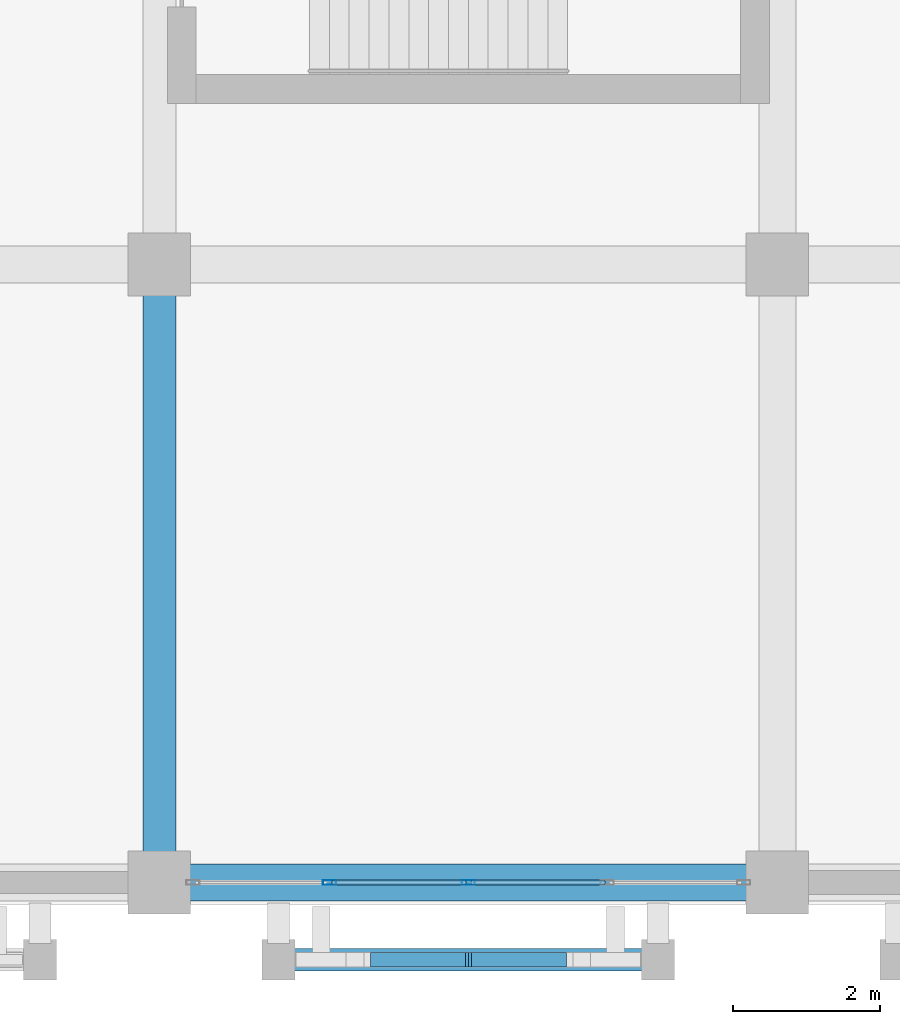
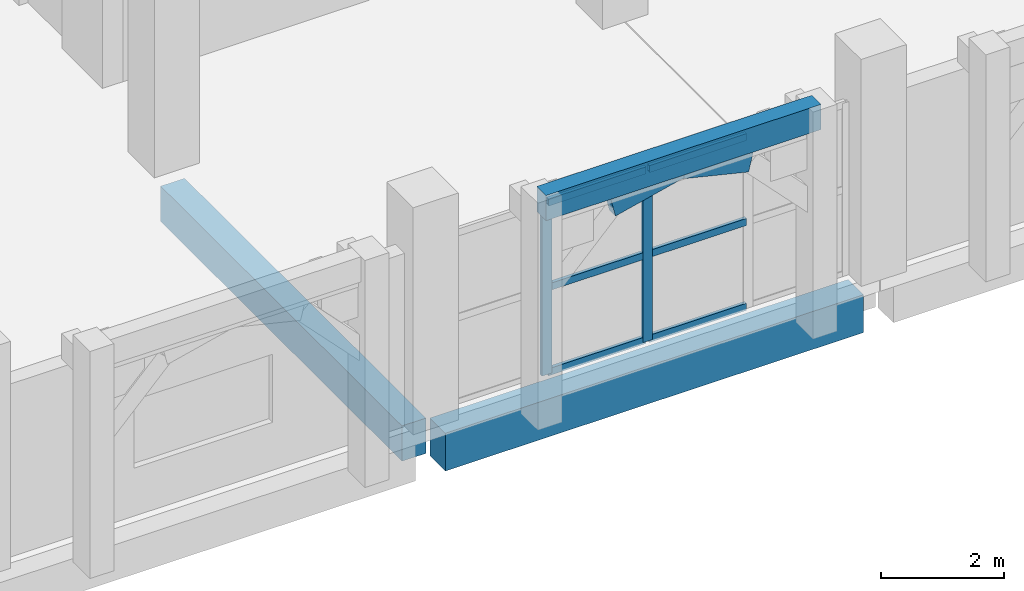
# One storey, part 6 of 137: 10 members, 3 beams, 1 element without a shape of its own.
"""IFC4 building model written with IfcOpenShell, lengths in metres."""

import ifcopenshell
import ifcopenshell.guid

model = None  # the IFC model being written
_history = None  # IfcOwnerHistory: only IFC2X3 demands one
_inside = {}  # id of a spatial element -> (the spatial element, [elements in it])
_under = {}  # id of a project, library or spatial element -> (it, [spatial elements below it])
_declared = {}  # id of a project -> (the project, [libraries it declares])
_typed = {}  # id of a type object -> (the type object, [elements of that type])
_made_of = {}  # id of a material, layer set ... -> (it, [elements and type objects made of it])


def new_model(schema):
    """Start an empty IFC model of exactly this schema.

    Asked for "IFC4X3", IfcOpenShell would pick the latest addendum, in which some entities
    have other attributes; the version numbers below select the first issue.
    IFC2X3 requires an IfcOwnerHistory on every rooted entity: one is made here for all.
    """
    global model, _history
    if schema == "IFC4X3":
        model = ifcopenshell.file(schema_version=(4, 3, 0, 0))
    else:
        model = ifcopenshell.file(schema=schema)
    _inside.clear()
    _under.clear()
    _declared.clear()
    _typed.clear()
    _made_of.clear()
    _history = None
    if model.schema == "IFC2X3":
        org = make("IfcOrganization", Name="unknown")
        user = make(
            "IfcPersonAndOrganization",
            ThePerson=make("IfcPerson", FamilyName="unknown"),
            TheOrganization=org,
        )
        app = make(
            "IfcApplication",
            ApplicationDeveloper=org,
            Version="unknown",
            ApplicationFullName="unknown",
            ApplicationIdentifier="unknown",
        )
        _history = make(
            "IfcOwnerHistory",
            OwningUser=user,
            OwningApplication=app,
            ChangeAction="ADDED",
            CreationDate=0,
        )
    return model


def make(cls, **values):
    """One entity of the class cls with the attributes given. An attribute that is None is left unset."""
    return model.create_entity(
        cls, **{name: value for name, value in values.items() if value is not None}
    )


def rooted(cls, **values):
    """An entity with a GlobalId (a new one), such as an element, a storey or a relation."""
    return make(cls, GlobalId=ifcopenshell.guid.new(), OwnerHistory=_history, **values)


def si_unit(unit_type, name, prefix=None):
    """IfcSIUnit, for example si_unit("LENGTHUNIT", "METRE", prefix="MILLI")."""
    return make("IfcSIUnit", UnitType=unit_type, Prefix=prefix, Name=name)


def assignment(units):
    """IfcUnitAssignment: the units of a project."""
    return None if units is None else make("IfcUnitAssignment", Units=units)


def point(xyz):
    """IfcCartesianPoint."""
    return None if xyz is None else make("IfcCartesianPoint", Coordinates=xyz)


def direction(xyz):
    """IfcDirection."""
    return None if xyz is None else make("IfcDirection", DirectionRatios=xyz)


def frame(location, z_axis=None, x_axis=None):
    """IfcAxis2Placement3D, a coordinate frame: its origin and axes. An axis left out is left unset."""
    return make(
        "IfcAxis2Placement3D",
        Location=point(location),
        Axis=direction(z_axis),
        RefDirection=direction(x_axis),
    )


def frame_2d(location, x_axis=None):
    """IfcAxis2Placement2D, a coordinate frame in the plane: its origin and x axis."""
    return make(
        "IfcAxis2Placement2D", Location=point(location), RefDirection=direction(x_axis)
    )


def origin():
    """The frame at (0, 0, 0) with its axes left unset."""
    return frame((0.0, 0.0, 0.0))


def origin_2d():
    """The frame at (0, 0) in the plane with its x axis left unset."""
    return frame_2d((0.0, 0.0))


def place(relative_to, where):
    """IfcLocalPlacement: puts the frame where relative to a parent placement (None: the world)."""
    return make(
        "IfcLocalPlacement", PlacementRelTo=relative_to, RelativePlacement=where
    )


def context(
    kind, dimensions, precision=None, world=None, true_north=None, identifier=None
):
    """IfcGeometricRepresentationContext, for example the 3D "Model" context."""
    return make(
        "IfcGeometricRepresentationContext",
        ContextIdentifier=identifier,
        ContextType=kind,
        CoordinateSpaceDimension=dimensions,
        Precision=precision,
        WorldCoordinateSystem=world,
        TrueNorth=true_north,
    )


def subcontext(parent, identifier, kind, view, scale=None):
    """IfcGeometricRepresentationSubContext, for example "Body" below "Model"."""
    return make(
        "IfcGeometricRepresentationSubContext",
        ContextIdentifier=identifier,
        ContextType=kind,
        ParentContext=parent,
        TargetScale=scale,
        TargetView=view,
    )


def project(units=None, contexts=None):
    """IfcProject with its units and contexts."""
    return rooted(
        "IfcProject",
        Name="project",
        RepresentationContexts=contexts,
        UnitsInContext=assignment(units),
    )


def spatial(cls, under=None, at=None, **own):
    """A site, building, storey or space (cls), placed at a placement, below another one or the project."""
    s = rooted(cls, ObjectPlacement=at, **own)
    if under is not None:
        _under.setdefault(under.id(), (under, []))[1].append(s)
    return s


def profile(cls, at=None, kind="AREA", **sizes):
    """A parametric profile (cls). Its sizes go by their IFC names, for example OverallWidth=200.0."""
    return make(cls, ProfileType=kind, Position=at, **sizes)


def rectangle(**sizes):
    """IfcRectangleProfileDef."""
    return profile("IfcRectangleProfileDef", **sizes)


def hollow_rectangle(**sizes):
    """IfcRectangleHollowProfileDef."""
    return profile("IfcRectangleHollowProfileDef", **sizes)


def extrude(swept, where, along, depth):
    """IfcExtrudedAreaSolid: the profile swept, set in the frame where, extruded along a direction by depth."""
    return make(
        "IfcExtrudedAreaSolid",
        SweptArea=swept,
        Position=where,
        ExtrudedDirection=direction(along),
        Depth=depth,
    )


def shape(context_of_items, identifier, shape_type, items):
    """IfcShapeRepresentation: the items that make up one representation, for example the "Body"."""
    return make(
        "IfcShapeRepresentation",
        ContextOfItems=context_of_items,
        RepresentationIdentifier=identifier,
        RepresentationType=shape_type,
        Items=items,
    )


def material(Name=None, Category=None):
    """IfcMaterial."""
    return make("IfcMaterial", Name=Name, Category=Category)


def layer(
    of_material, thickness, ventilated=None, Name=None, Category=None, Priority=None
):
    """IfcMaterialLayer: one layer of a wall or slab, of a material (None: an air gap)."""
    return make(
        "IfcMaterialLayer",
        Material=of_material,
        LayerThickness=thickness,
        IsVentilated=ventilated,
        Name=Name,
        Category=Category,
        Priority=Priority,
    )


def layer_set(layers, Name=None):
    """IfcMaterialLayerSet."""
    return make("IfcMaterialLayerSet", MaterialLayers=layers, LayerSetName=Name)


def material_profile(
    of_material, cross_section, Name=None, Category=None, Priority=None
):
    """IfcMaterialProfile: a cross section and its material."""
    return make(
        "IfcMaterialProfile",
        Name=Name,
        Material=of_material,
        Profile=cross_section,
        Priority=Priority,
        Category=Category,
    )


def profile_set(profiles, Name=None, composite=None):
    """IfcMaterialProfileSet."""
    return make(
        "IfcMaterialProfileSet",
        Name=Name,
        MaterialProfiles=profiles,
        CompositeProfile=composite,
    )


def made_of(thing, what):
    """Note that an element or type object is made of a material, layer set ...; save() writes the relation."""
    if what is not None:
        _made_of.setdefault(what.id(), (what, []))[1].append(thing)
    return thing


def type_object(cls, material=None, **own):
    """A type object (cls), such as IfcWallType, which elements share."""
    return made_of(rooted(cls, **own), material)


def element(
    cls,
    number,
    at=None,
    inside=None,
    cuts=None,
    type_object=None,
    material=None,
    context=None,
    identifier="Body",
    shape_type=None,
    held_by="IfcProductDefinitionShape",
    body=None,
    shapes=None,
    **own,
):
    """One element of the class cls, such as IfcWall. Its Tag is "e" and its number.

    at: its placement. inside: the storey or other place that contains it. cuts: it is an
    opening in that element (IfcRelVoidsElement). A single representation is given by context,
    identifier, shape_type and body (its items); several are given by shapes. held_by: the class
    of the entity that holds the representations. save() writes the other relations.
    """
    e = rooted(cls, Tag="e%d" % number, ObjectPlacement=at, **own)
    if body is not None:
        shapes = [shape(context, identifier, shape_type, body)]
    if shapes is not None:
        e.Representation = make(held_by, Representations=shapes)
    if inside is not None:
        _inside.setdefault(inside.id(), (inside, []))[1].append(e)
    if cuts is not None:
        rooted(
            "IfcRelVoidsElement", RelatingBuildingElement=cuts, RelatedOpeningElement=e
        )
    if type_object is not None:
        _typed.setdefault(type_object.id(), (type_object, []))[1].append(e)
    return made_of(e, material)


def aggregate(whole, parts):
    """IfcRelAggregates: a whole, such as a stair, and the parts it consists of."""
    return rooted("IfcRelAggregates", RelatingObject=whole, RelatedObjects=parts)


def save(model, path):
    """Write the relations noted so far, then the file.

    IfcRelAggregates (storeys below a building ...), IfcRelContainedInSpatialStructure (elements
    in a storey), IfcRelDefinesByType, IfcRelAssociatesMaterial and IfcRelDeclares: one each for
    every whole, place, type object, material and project.
    """
    for whole, parts in _under.values():
        aggregate(whole, parts)
    for where, things in _inside.values():
        rooted(
            "IfcRelContainedInSpatialStructure",
            RelatedElements=things,
            RelatingStructure=where,
        )
    for kind, things in _typed.values():
        rooted("IfcRelDefinesByType", RelatedObjects=things, RelatingType=kind)
    for what, things in _made_of.values():
        rooted("IfcRelAssociatesMaterial", RelatedObjects=things, RelatingMaterial=what)
    for by, libraries in _declared.values():
        rooted("IfcRelDeclares", RelatingContext=by, RelatedDefinitions=libraries)
    model.write(path)


model = new_model("IFC4")

# Units and contexts
model_context = context("Model", 3, precision=1e-05, world=origin(), true_north=direction((0.0, 1.0)))
body_context = subcontext(model_context, "Body", "Model", "MODEL_VIEW")
ifc_project = project(units=[si_unit("LENGTHUNIT", "METRE"), si_unit("AREAUNIT", "SQUARE_METRE"), si_unit("VOLUMEUNIT", "CUBIC_METRE"), si_unit("PLANEANGLEUNIT", "RADIAN"), si_unit("MASSUNIT", "GRAM", prefix="KILO")], contexts=[model_context])

# Site, building, storey
site_placement = place(None, origin())
site = spatial("IfcSite", under=ifc_project, at=site_placement, CompositionType="ELEMENT")
building_placement = place(site_placement, origin())
building = spatial("IfcBuilding", under=site, at=building_placement, Name="Xazarin Passage Department Store", CompositionType="ELEMENT")
storey_placement = place(building_placement, frame((0.0, 0.0, 5.39990234375)))
storey = spatial("IfcBuildingStorey", under=building, at=storey_placement, Name="L01", CompositionType="ELEMENT", Elevation=5.39990234375)

# Curtain wall, members
ifc_material_1 = material(Name="Bronze anodised aluminium", Category="aluminium")
ifc_layer = layer(ifc_material_1, 0.18994140625)
ifc_layer_set = layer_set([ifc_layer], Name="Bronze anodised aluminium")
curtain_wall_type = type_object("IfcCurtainWallType", Name="ARC-CW-FDH1", PredefinedType="NOTDEFINED", material=ifc_layer_set)
curtain_wall_placement = place(storey_placement, origin())
curtain_wall = element("IfcCurtainWall", 1, at=curtain_wall_placement, inside=storey, type_object=curtain_wall_type, Name="L01 V3 Curtain Wall 124", PredefinedType="NOTDEFINED")
ifc_material_profile_1 = material_profile(ifc_material_1, hollow_rectangle(XDim=0.06494140625, YDim=0.179931640625, WallThickness=0.00390625, at=origin_2d()), Name="ALU 65x180")
ifc_profile_set_1 = profile_set([ifc_material_profile_1], Name="Bronze anodised aluminium")
member_type_1 = type_object("IfcMemberType", Name="ARC-CWM-65x180", PredefinedType="MULLION", material=ifc_profile_set_1)
member_1_placement = place(storey_placement, frame((27.512451171875, 0.0, 0.0), z_axis=(0.0, 0.0, 1.0), x_axis=(0.0, 1.0, 0.0)))
member_1 = element("IfcMember", 2, at=member_1_placement, type_object=member_type_1, Name="CW5 mullion 2", PredefinedType="MULLION", context=body_context, shape_type="SweptSolid", body=[
    extrude(hollow_rectangle(XDim=0.06494140625, YDim=0.179931640625, WallThickness=0.00390625, at=origin_2d()), origin(), (0.0, 0.0, 1.0), 3.43017578125),
])
member_2_placement = place(storey_placement, frame((29.39990234375, 0.0, 0.0), z_axis=(0.0, 0.0, 1.0), x_axis=(0.0, 1.0, 0.0)))
member_2 = element("IfcMember", 3, at=member_2_placement, type_object=member_type_1, Name="CW5 mullion 3", PredefinedType="MULLION", context=body_context, shape_type="SweptSolid", body=[
    extrude(hollow_rectangle(XDim=0.06494140625, YDim=0.179931640625, WallThickness=0.00390625, at=origin_2d()), origin(), (0.0, 0.0, 1.0), 3.43017578125),
])
ifc_material_profile_2 = material_profile(ifc_material_1, hollow_rectangle(XDim=0.06494140625, YDim=0.139892578125, WallThickness=0.00390625, at=origin_2d()), Name="ALU 65x140")
ifc_profile_set_2 = profile_set([ifc_material_profile_2], Name="Bronze anodised aluminium")
member_type_2 = type_object("IfcMemberType", Name="ARC-CWT-65x140", PredefinedType="USERDEFINED", material=ifc_profile_set_2)
member_3_placement = place(storey_placement, frame((27.544921875, 0.0, 0.03271484375), z_axis=(1.0, 0.0, 0.0), x_axis=(0.0, 1.0, 0.0)))
member_3 = element("IfcMember", 4, at=member_3_placement, type_object=member_type_2, Name="CW5 transom 2.1", ObjectType="TRANSOM", PredefinedType="USERDEFINED", context=body_context, shape_type="SweptSolid", body=[
    extrude(hollow_rectangle(XDim=0.06494140625, YDim=0.139892578125, WallThickness=0.00390625, at=origin_2d()), origin(), (0.0, 0.0, 1.0), 1.822509765625),
])
member_4_placement = place(storey_placement, frame((27.544921875, 0.0, 1.715087890625), z_axis=(1.0, 0.0, 0.0), x_axis=(0.0, 1.0, 0.0)))
member_4 = element("IfcMember", 5, at=member_4_placement, type_object=member_type_2, Name="CW5 transom 2.2", ObjectType="TRANSOM", PredefinedType="USERDEFINED", context=body_context, shape_type="SweptSolid", body=[
    extrude(hollow_rectangle(XDim=0.06494140625, YDim=0.139892578125, WallThickness=0.00390625, at=origin_2d()), origin(), (0.0, 0.0, 1.0), 1.822509765625),
])
member_5_placement = place(storey_placement, frame((27.544921875, 0.0, 3.397705078125), z_axis=(1.0, 0.0, 0.0), x_axis=(0.0, 1.0, 0.0)))
member_5 = element("IfcMember", 6, at=member_5_placement, type_object=member_type_2, Name="CW5 transom 2.3", ObjectType="TRANSOM", PredefinedType="USERDEFINED", context=body_context, shape_type="SweptSolid", body=[
    extrude(hollow_rectangle(XDim=0.06494140625, YDim=0.139892578125, WallThickness=0.00390625, at=origin_2d()), origin(), (0.0, 0.0, 1.0), 1.822509765625),
])
member_6_placement = place(storey_placement, frame((29.4326171875, 0.0, 0.03271484375), z_axis=(1.0, 0.0, 0.0), x_axis=(0.0, 1.0, 0.0)))
member_6 = element("IfcMember", 7, at=member_6_placement, type_object=member_type_2, Name="CW5 transom 3.1", ObjectType="TRANSOM", PredefinedType="USERDEFINED", context=body_context, shape_type="SweptSolid", body=[
    extrude(hollow_rectangle(XDim=0.06494140625, YDim=0.139892578125, WallThickness=0.00390625, at=origin_2d()), origin(), (0.0, 0.0, 1.0), 1.822265625),
])
member_7_placement = place(storey_placement, frame((29.4326171875, 0.0, 1.715087890625), z_axis=(1.0, 0.0, 0.0), x_axis=(0.0, 1.0, 0.0)))
member_7 = element("IfcMember", 8, at=member_7_placement, type_object=member_type_2, Name="CW5 transom 3.2", ObjectType="TRANSOM", PredefinedType="USERDEFINED", context=body_context, shape_type="SweptSolid", body=[
    extrude(hollow_rectangle(XDim=0.06494140625, YDim=0.139892578125, WallThickness=0.00390625, at=origin_2d()), origin(), (0.0, 0.0, 1.0), 1.822265625),
])
member_8_placement = place(storey_placement, frame((29.4326171875, 0.0, 3.397705078125), z_axis=(1.0, 0.0, 0.0), x_axis=(0.0, 1.0, 0.0)))
member_8 = element("IfcMember", 9, at=member_8_placement, type_object=member_type_2, Name="CW5 transom 3.3", ObjectType="TRANSOM", PredefinedType="USERDEFINED", context=body_context, shape_type="SweptSolid", body=[
    extrude(hollow_rectangle(XDim=0.06494140625, YDim=0.139892578125, WallThickness=0.00390625, at=origin_2d()), origin(), (0.0, 0.0, 1.0), 1.822265625),
])
aggregate(curtain_wall, [member_1, member_2, member_3, member_4, member_5, member_6, member_7, member_8])

# Beams
ifc_material_2 = material(Name="Concrete C35/45", Category="concrete")
ifc_material_profile_3 = material_profile(ifc_material_2, rectangle(XDim=0.449951171875, YDim=0.699951171875, at=origin_2d()), Name="RC 450x700")
ifc_profile_set_3 = profile_set([ifc_material_profile_3], Name="Concrete C35/45")
beam_type_1 = type_object("IfcBeamType", Name="STR-BM-G450x700", PredefinedType="BEAM", material=ifc_profile_set_3)
beam_1_placement = place(storey_placement, frame((25.199951171875, 0.280029296875, -0.669921875), z_axis=(0.0, 1.0, 0.0), x_axis=(-1.0, 0.0, 0.0)))
element("IfcBeam", 10, at=beam_1_placement, inside=storey, type_object=beam_type_1, Name="L01 Grid Beam 4/A-B", PredefinedType="BEAM", context=body_context, shape_type="SweptSolid", body=[
    extrude(rectangle(XDim=0.449951171875, YDim=0.699951171875, at=origin_2d()), origin(), (0.0, 0.0, 1.0), 7.840087890625),
])
ifc_material_profile_4 = material_profile(ifc_material_2, rectangle(XDim=0.300048828125, YDim=0.5, at=origin_2d()), Name="RC 300x500")
ifc_profile_set_4 = profile_set([ifc_material_profile_4], Name="Concrete C35/45")
beam_type_2 = type_object("IfcBeamType", Name="STR-BM-LN300x500", PredefinedType="LINTEL", material=ifc_profile_set_4)
beam_2_placement = place(storey_placement, frame((26.820068359375, -1.050048828125, 4.25), z_axis=(1.0, 0.0, 0.0), x_axis=(0.0, 1.0, 0.0)))
element("IfcBeam", 11, at=beam_2_placement, inside=storey, type_object=beam_type_2, Name="L01 V3 Colonnade Spandrel Beam 029", PredefinedType="LINTEL", context=body_context, shape_type="SweptSolid", body=[
    extrude(rectangle(XDim=0.300048828125, YDim=0.5, at=origin_2d()), origin(), (0.0, 0.0, 1.0), 5.159912109375),
])
ifc_material_profile_5 = material_profile(ifc_material_2, rectangle(XDim=0.5, YDim=0.75, at=origin_2d()), Name="RC 500x750")
ifc_profile_set_5 = profile_set([ifc_material_profile_5], Name="Concrete C35/45")
beam_type_3 = type_object("IfcBeamType", Name="STR-BM-SP500x750", PredefinedType="SPANDREL", material=ifc_profile_set_5)
beam_3_placement = place(storey_placement, frame((25.47998046875, 0.0, -0.69482421875), z_axis=(1.0, 0.0, 0.0), x_axis=(0.0, 1.0, 0.0)))
element("IfcBeam", 12, at=beam_3_placement, inside=storey, type_object=beam_type_3, Name="L01 Grid Beam A/4-5", PredefinedType="SPANDREL", context=body_context, shape_type="SweptSolid", body=[
    extrude(rectangle(XDim=0.5, YDim=0.75, at=origin_2d()), origin(), (0.0, 0.0, 1.0), 7.840087890625),
])

# Members
ifc_material_3 = material(Name="Concrete C40/50", Category="concrete")
ifc_material_profile_6 = material_profile(ifc_material_3, rectangle(XDim=0.199951171875, YDim=0.360107421875, at=origin_2d()), Name="RC 200x360")
ifc_profile_set_6 = profile_set([ifc_material_profile_6], Name="Concrete C40/50")
member_type_3 = type_object("IfcMemberType", Name="STR-MEM-ARC360", PredefinedType="CHORD", material=ifc_profile_set_6)
member_9_placement = place(storey_placement, frame((28.110107421875, -1.050048828125, 3.7705078125), z_axis=(0.972383960415, 0.0, 0.233386875224), x_axis=(0.0, 1.0, 0.0)))
element("IfcMember", 13, at=member_9_placement, inside=storey, type_object=member_type_3, Name="L01 V3 Pierced Lattice Curved Arch 029.2", PredefinedType="CHORD", context=body_context, shape_type="SweptSolid", body=[
    extrude(rectangle(XDim=0.199951171875, YDim=0.360107421875, at=origin_2d()), origin(), (0.0, 0.0, 1.0), 1.326416015625),
])
member_10_placement = place(storey_placement, frame((29.39990234375, -1.050048828125, 4.080078125), z_axis=(0.972393983317, 0.0, -0.233345111818), x_axis=(0.0, 1.0, 0.0)))
element("IfcMember", 14, at=member_10_placement, inside=storey, type_object=member_type_3, Name="L01 V3 Pierced Lattice Curved Arch 029.3", PredefinedType="CHORD", context=body_context, shape_type="SweptSolid", body=[
    extrude(rectangle(XDim=0.199951171875, YDim=0.360107421875, at=origin_2d()), origin(), (0.0, 0.0, 1.0), 1.32666015625),
])

save(model, "model.ifc")
